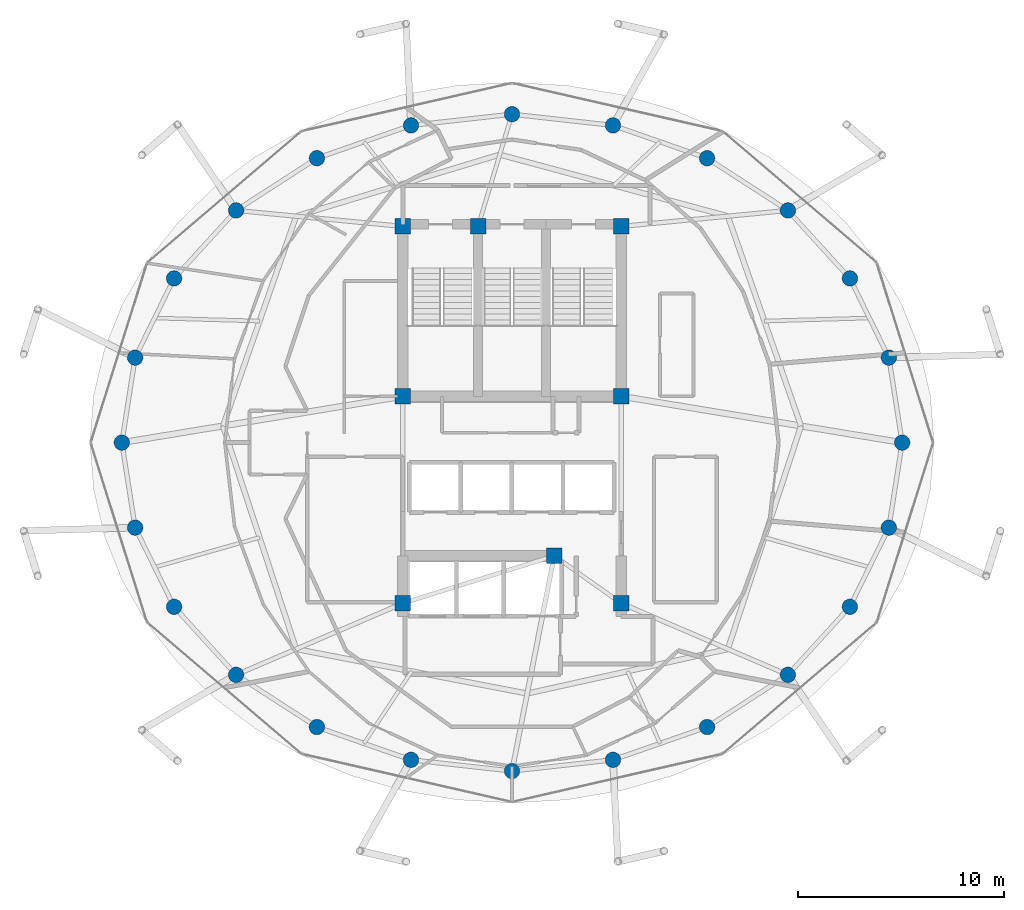
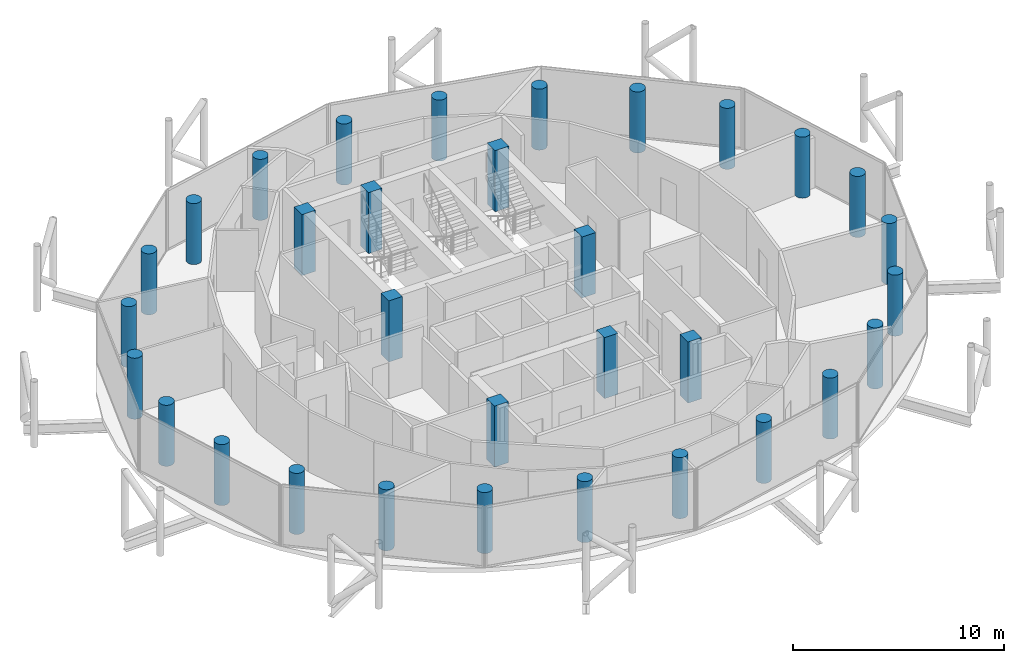
# One storey, part 1 of 24: 32 columns.
"""IFC4 building model written with IfcOpenShell, lengths in metres."""

from ifc_helpers import new_model, si_unit, direction, frame, origin, origin_2d, place, context, subcontext, project, spatial, rectangle, circle, extrude, material, material_profile, profile_set, type_object, element, save


model = new_model("IFC4")

# Units and contexts
model_context = context("Model", 3, precision=1e-05, world=origin(), true_north=direction((0.0, 1.0)))
body_context = subcontext(model_context, "Body", "Model", "MODEL_VIEW")
ifc_project = project(units=[si_unit("LENGTHUNIT", "METRE"), si_unit("AREAUNIT", "SQUARE_METRE"), si_unit("VOLUMEUNIT", "CUBIC_METRE"), si_unit("PLANEANGLEUNIT", "RADIAN"), si_unit("MASSUNIT", "GRAM", prefix="KILO")], contexts=[model_context])

# Site, building, storey
site_placement = place(None, origin())
site = spatial("IfcSite", under=ifc_project, at=site_placement, CompositionType="ELEMENT")
building_placement = place(site_placement, origin())
building = spatial("IfcBuilding", under=site, at=building_placement, Name="Nuhasar Tower", CompositionType="ELEMENT")
storey_placement = place(building_placement, frame((0.0, 0.0, 282.199951171875)))
storey = spatial("IfcBuildingStorey", under=building, at=storey_placement, Name="L70", CompositionType="ELEMENT", Elevation=282.199951171875)

# Columns
ifc_material = material(Name="Concrete C50/60", Category="concrete")
ifc_material_profile_1 = material_profile(ifc_material, circle(Radius=0.375, at=origin_2d()), Name="CFT750")
ifc_profile_set_1 = profile_set([ifc_material_profile_1], Name="Concrete C50/60")
column_type_1 = type_object("IfcColumnType", Name="COL-CFT-750", PredefinedType="COLUMN", material=ifc_profile_set_1)
for number, where, z_axis, x_axis, name in (
    (1, (57.949951171875, 26.800048828125, 0.0), (0.0, 0.0, 1.0), (1.0, 0.0, 0.0), "L70 Perimeter Composite Column TC-01"),
    (2, (57.303955078125, 30.927978515625, 0.0), (0.0, 0.0, 1.0), (1.0, 0.0, 0.0), "L70 Perimeter Composite Column TC-02"),
    (3, (55.410888671875, 34.77490234375, 0.0), (0.0, 0.0, 1.0), (1.0, 0.0, 0.0), "L70 Perimeter Composite Column TC-03"),
    (4, (52.39990234375, 38.077880859375, 0.0), (0.0, 0.0, 1.0), (1.0, 0.0, 0.0), "L70 Perimeter Composite Column TC-04"),
    (5, (48.47509765625, 40.613037109375, 0.0), (0.0, 0.0, 1.0), (1.0, 0.0, 0.0), "L70 Perimeter Composite Column TC-05"),
    (6, (43.905029296875, 42.20703125, 0.0), (0.0, 0.0, 1.0), (1.0, 0.0, 0.0), "L70 Perimeter Composite Column TC-06"),
    (7, (39.0, 42.75, 0.0), (0.0, 0.0, 1.0), (1.0, 0.0, 0.0), "L70 Perimeter Composite Column TC-07"),
    (8, (34.094970703125, 42.20703125, 0.0), (0.0, 0.0, 1.0), (1.0, 0.0, 0.0), "L70 Perimeter Composite Column TC-08"),
    (9, (29.52490234375, 40.613037109375, 0.0), (0.0, 0.0, 1.0), (1.0, 0.0, 0.0), "L70 Perimeter Composite Column TC-09"),
    (10, (25.60009765625, 38.077880859375, 0.0), (0.0, 0.0, 1.0), (1.0, 0.0, 0.0), "L70 Perimeter Composite Column TC-10"),
    (11, (22.589111328125, 34.77490234375, 0.0), (0.0, 0.0, 1.0), (1.0, 0.0, 0.0), "L70 Perimeter Composite Column TC-11"),
    (12, (20.696044921875, 30.927978515625, 0.0), (0.0, 0.0, 1.0), (1.0, 0.0, 0.0), "L70 Perimeter Composite Column TC-12"),
    (13, (20.050048828125, 26.800048828125, 0.0), (0.0, 0.0, 1.0), (1.0, 0.0, 0.0), "L70 Perimeter Composite Column TC-13"),
    (14, (20.696044921875, 22.672119140625, 0.0), (0.0, 0.0, 1.0), (1.0, 0.0, 0.0), "L70 Perimeter Composite Column TC-14"),
    (15, (22.589111328125, 18.824951171875, 0.0), (0.0, 0.0, 1.0), (1.0, 0.0, 0.0), "L70 Perimeter Composite Column TC-15"),
    (16, (25.60009765625, 15.52197265625, 0.0), (0.0, 0.0, 1.0), (1.0, 0.0, 0.0), "L70 Perimeter Composite Column TC-16"),
    (17, (29.52490234375, 12.987060546875, 0.0), (0.0, 0.0, 1.0), (1.0, 0.0, 0.0), "L70 Perimeter Composite Column TC-17"),
    (18, (34.094970703125, 11.39306640625, 0.0), (0.0, 0.0, 1.0), (1.0, 0.0, 0.0), "L70 Perimeter Composite Column TC-18"),
    (19, (39.0, 10.85009765625, 0.0), (0.0, 0.0, 1.0), (1.0, 0.0, 0.0), "L70 Perimeter Composite Column TC-19"),
    (20, (43.905029296875, 11.39306640625, 0.0), (0.0, 0.0, 1.0), (1.0, 0.0, 0.0), "L70 Perimeter Composite Column TC-20"),
    (21, (48.47509765625, 12.987060546875, 0.0), (0.0, 0.0, 1.0), (1.0, 0.0, 0.0), "L70 Perimeter Composite Column TC-21"),
    (22, (52.39990234375, 15.52197265625, 0.0), (0.0, 0.0, 1.0), (1.0, 0.0, 0.0), "L70 Perimeter Composite Column TC-22"),
    (23, (55.410888671875, 18.824951171875, 0.0), (0.0, 0.0, 1.0), (1.0, 0.0, 0.0), "L70 Perimeter Composite Column TC-23"),
    (24, (57.303955078125, 22.672119140625, 0.0), (0.0, 0.0, 1.0), (1.0, 0.0, 0.0), "L70 Perimeter Composite Column TC-24"),
):
    element("IfcColumn", number, at=place(storey_placement, frame(where, z_axis=z_axis, x_axis=x_axis)), inside=storey, type_object=column_type_1, Name=name, PredefinedType="COLUMN", context=body_context, shape_type="SweptSolid", body=[
        extrude(circle(Radius=0.375, at=origin_2d()), origin(), (0.0, 0.0, 1.0), 3.5400390625),
    ])
ifc_material_profile_2 = material_profile(ifc_material, rectangle(XDim=0.75, YDim=0.75, at=origin_2d()), Name="RC750X750")
ifc_profile_set_2 = profile_set([ifc_material_profile_2], Name="Concrete C50/60")
column_type_2 = type_object("IfcColumnType", Name="PIL-RC-750", PredefinedType="PILASTER", material=ifc_profile_set_2)
for number, where, z_axis, x_axis, name in (
    (25, (33.699951171875, 19.0, 0.0), (0.0, 0.0, 1.0), (1.0, 0.0, 0.0), "L70 Core Boundary Pilaster CC-01"),
    (26, (41.050048828125, 21.300048828125, 0.0), (0.0, 0.0, 1.0), (1.0, 0.0, 0.0), "L70 Core Boundary Pilaster CC-02"),
    (27, (44.300048828125, 19.0, 0.0), (0.0, 0.0, 1.0), (1.0, 0.0, 0.0), "L70 Core Boundary Pilaster CC-03"),
    (28, (44.300048828125, 29.050048828125, 0.0), (0.0, 0.0, 1.0), (1.0, 0.0, 0.0), "L70 Core Boundary Pilaster CC-04"),
    (29, (44.300048828125, 37.300048828125, 0.0), (0.0, 0.0, 1.0), (1.0, 0.0, 0.0), "L70 Core Boundary Pilaster CC-05"),
    (30, (37.35009765625, 37.300048828125, 0.0), (0.0, 0.0, 1.0), (1.0, 0.0, 0.0), "L70 Core Boundary Pilaster CC-06"),
    (31, (33.699951171875, 37.300048828125, 0.0), (0.0, 0.0, 1.0), (1.0, 0.0, 0.0), "L70 Core Boundary Pilaster CC-07"),
    (32, (33.699951171875, 29.050048828125, 0.0), (0.0, 0.0, 1.0), (1.0, 0.0, 0.0), "L70 Core Boundary Pilaster CC-08"),
):
    element("IfcColumn", number, at=place(storey_placement, frame(where, z_axis=z_axis, x_axis=x_axis)), inside=storey, type_object=column_type_2, Name=name, PredefinedType="PILASTER", context=body_context, shape_type="SweptSolid", body=[
        extrude(rectangle(XDim=0.75, YDim=0.75, at=origin_2d()), origin(), (0.0, 0.0, 1.0), 3.5400390625),
    ])

save(model, "model.ifc")
